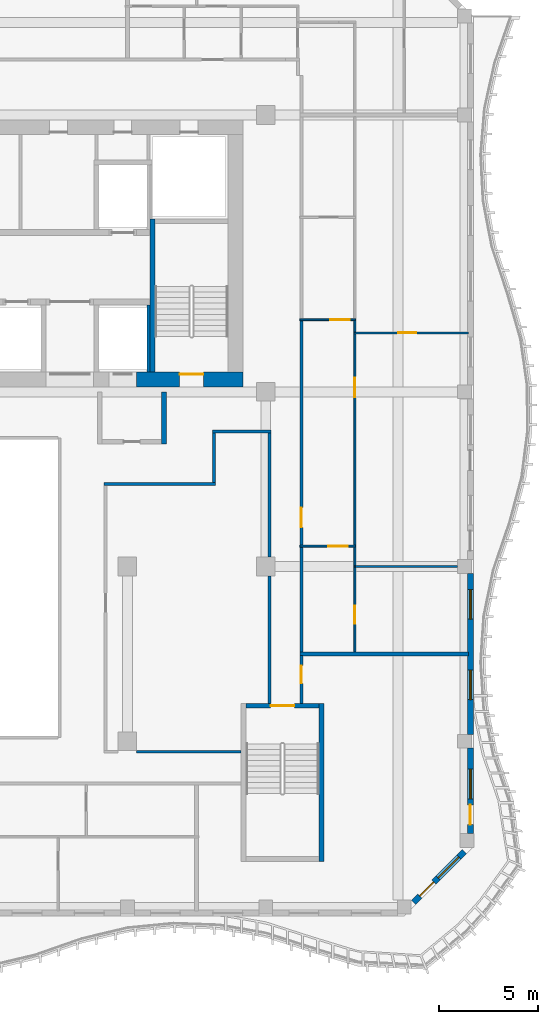
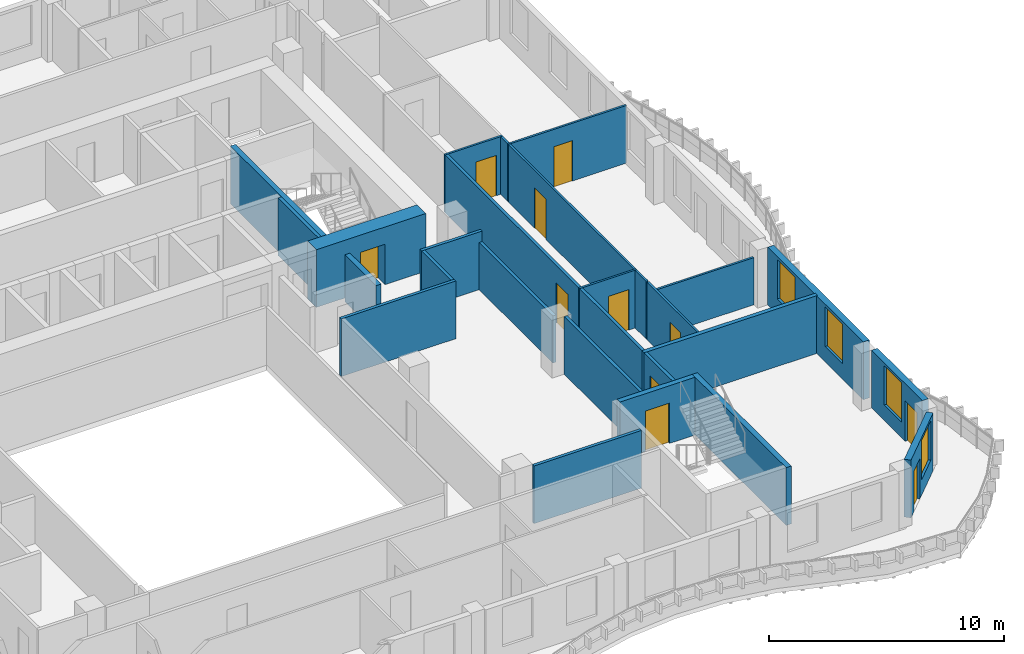
# One storey, part 5 of 13: 27 walls, 11 doors, 4 windows, 15 openings.
"""IFC4 building model written with IfcOpenShell, lengths in metres."""

from ifc_helpers import new_model, si_unit, direction, frame, frame_2d, origin, place, context, subcontext, project, spatial, rectangle, extrude, source, transform, mapped, material, layer, layer_set, type_object, element, fill, save


model = new_model("IFC4")

# Units and contexts
model_context = context("Model", 3, precision=1e-05, world=origin(), true_north=direction((0.0, 1.0)))
body_context = subcontext(model_context, "Body", "Model", "MODEL_VIEW")
ifc_project = project(units=[si_unit("LENGTHUNIT", "METRE"), si_unit("AREAUNIT", "SQUARE_METRE"), si_unit("VOLUMEUNIT", "CUBIC_METRE"), si_unit("PLANEANGLEUNIT", "RADIAN"), si_unit("MASSUNIT", "GRAM", prefix="KILO")], contexts=[model_context])

# Site, building, storey
site_placement = place(None, origin())
site = spatial("IfcSite", under=ifc_project, at=site_placement, CompositionType="ELEMENT")
building_placement = place(site_placement, origin())
building = spatial("IfcBuilding", under=site, at=building_placement, Name="Kilnfold Tower and Market Hall", CompositionType="ELEMENT")
storey_placement = place(building_placement, frame((0.0, 0.0, 259.39990234375)))
storey = spatial("IfcBuildingStorey", under=building, at=storey_placement, Name="L63", CompositionType="ELEMENT", Elevation=259.39990234375)

# Wall, opening, door
ifc_material_1 = material(Name="Gypsum board on steel studs", Category="steel")
ifc_layer_1 = layer(ifc_material_1, 0.14990234375)
ifc_layer_set_1 = layer_set([ifc_layer_1], Name="Gypsum board on steel studs")
wall_type_1 = type_object("IfcWallType", Name="WALL CORRIDOR 150", PredefinedType="PARTITIONING", material=ifc_layer_set_1)
wall_1_placement = place(storey_placement, frame((20.800048828125, -7.75, 0.0), z_axis=(0.0, 0.0, 1.0), x_axis=(0.0, 1.0, 0.0)))
wall_1 = element("IfcWall", 1, at=wall_1_placement, inside=storey, type_object=wall_type_1, Name="Partition LY39.12", PredefinedType="PARTITIONING", context=body_context, shape_type="SweptSolid", body=[
    extrude(rectangle(XDim=2.409912109375, YDim=0.14990234375, at=frame_2d((1.205078125, 0.0))), origin(), (0.0, 0.0, 1.0), 3.0),
])
opening_1_placement = place(wall_1_placement, frame((1.007080078125, 0.0, 0.0)))
opening_1 = element("IfcOpeningElement", 2, at=opening_1_placement, cuts=wall_1, Name="Opening D2", PredefinedType="OPENING", context=body_context, shape_type="SweptSolid", body=[
    extrude(rectangle(XDim=0.89990234375, YDim=2.10009765625, at=frame_2d((0.449951171875, 1.050048828125))), frame((0.0, 0.0849609375, 0.0), z_axis=(0.0, -1.0, 0.0), x_axis=(1.0, 0.0, 0.0)), (0.0, 0.0, 1.0), 0.169921875),
])
ifc_material_2 = material(Name="Timber veneer door leaf in steel frame", Category="steel")
door_type_1 = type_object("IfcDoorType", Name="DOOR ROOM 900 X2100", OperationType="NOTDEFINED", PredefinedType="DOOR", material=ifc_material_2)
door_1_placement = place(opening_1_placement, origin())
door_1 = element("IfcDoor", 3, at=door_1_placement, inside=storey, type_object=door_type_1, Name="Door D2", OperationType="SINGLE_SWING_LEFT", OverallHeight=2.10009765625, OverallWidth=0.89990234375, PredefinedType="DOOR", context=body_context, shape_type="SweptSolid", body=[
    extrude(rectangle(XDim=0.89990234375, YDim=2.10009765625, at=frame_2d((0.449951171875, 1.050048828125))), frame((0.0, 0.02490234375, 0.0), z_axis=(0.0, -1.0, 0.0), x_axis=(1.0, 0.0, 0.0)), (0.0, 0.0, 1.0), 0.050048828125),
])
fill(opening_1, door_1)

# Wall
wall_2_placement = place(storey_placement, frame((20.800048828125, -5.159912109375, 0.0), z_axis=(0.0, 0.0, 1.0), x_axis=(0.0, 1.0, 0.0)))
element("IfcWall", 4, at=wall_2_placement, inside=storey, type_object=wall_type_1, Name="Partition LY39.13", PredefinedType="PARTITIONING", context=body_context, shape_type="SweptSolid", body=[
    extrude(rectangle(XDim=5.31982421875, YDim=0.14990234375, at=frame_2d((2.659912109375, 0.0))), origin(), (0.0, 0.0, 1.0), 3.0),
])

# Wall, opening, door
wall_3_placement = place(storey_placement, frame((20.800048828125, 0.239990234375, 0.0), z_axis=(0.0, 0.0, 1.0), x_axis=(0.0, 1.0, 0.0)))
wall_3 = element("IfcWall", 5, at=wall_3_placement, inside=storey, type_object=wall_type_1, Name="Partition LY39.14", PredefinedType="PARTITIONING", context=body_context, shape_type="SweptSolid", body=[
    extrude(rectangle(XDim=11.364990234375, YDim=0.14990234375, at=frame_2d((5.6826171875, 0.0))), origin(), (0.0, 0.0, 1.0), 3.0),
])
opening_2_placement = place(wall_3_placement, frame((0.905029296875, 0.0, 0.0)))
opening_2 = element("IfcOpeningElement", 6, at=opening_2_placement, cuts=wall_3, Name="Opening D1", PredefinedType="OPENING", context=body_context, shape_type="SweptSolid", body=[
    extrude(rectangle(XDim=1.0, YDim=2.10009765625, at=frame_2d((0.5, 1.050048828125))), frame((0.0, 0.0849609375, 0.0), z_axis=(0.0, -1.0, 0.0), x_axis=(1.0, 0.0, 0.0)), (0.0, 0.0, 1.0), 0.169921875),
])
ifc_material_3 = material(Name="Timber veneer door leaf in steel frame", Category="steel")
door_type_2 = type_object("IfcDoorType", Name="DOOR ENTRY 1000 X2100", OperationType="NOTDEFINED", PredefinedType="DOOR", material=ifc_material_3)
door_2_placement = place(opening_2_placement, origin())
door_2 = element("IfcDoor", 7, at=door_2_placement, inside=storey, type_object=door_type_2, Name="Door D1", OperationType="SINGLE_SWING_RIGHT", OverallHeight=2.10009765625, OverallWidth=1.0, PredefinedType="DOOR", context=body_context, shape_type="SweptSolid", body=[
    extrude(rectangle(XDim=1.0, YDim=2.10009765625, at=frame_2d((0.5, 1.050048828125))), frame((0.0, 0.02490234375, 0.0), z_axis=(0.0, -1.0, 0.0), x_axis=(1.0, 0.0, 0.0)), (0.0, 0.0, 1.0), 0.050048828125),
])
fill(opening_2, door_2)

# Walls
wall_4_placement = place(storey_placement, frame((19.199951171875, -7.75, 0.0), z_axis=(0.0, 0.0, 1.0), x_axis=(0.0, 1.0, 0.0)))
element("IfcWall", 8, at=wall_4_placement, inside=storey, type_object=wall_type_1, Name="Partition LY39.32", PredefinedType="PARTITIONING", context=body_context, shape_type="SweptSolid", body=[
    extrude(rectangle(XDim=6.44189453125, YDim=0.14990234375, at=frame_2d((3.220947265625, 0.0))), origin(), (0.0, 0.0, 1.0), 3.0),
])
wall_5_placement = place(storey_placement, frame((19.199951171875, -0.35791015625, 0.0), z_axis=(0.0, 0.0, 1.0), x_axis=(0.0, 1.0, 0.0)))
element("IfcWall", 9, at=wall_5_placement, inside=storey, type_object=wall_type_1, Name="Partition LY39.33", PredefinedType="PARTITIONING", context=body_context, shape_type="SweptSolid", body=[
    extrude(rectangle(XDim=6.282958984375, YDim=0.14990234375, at=frame_2d((3.1416015625, 0.0))), origin(), (0.0, 0.0, 1.0), 2.4501953125),
])
wall_6_placement = place(storey_placement, frame((16.304931640625, 6.0, 0.0), z_axis=(0.0, 0.0, 1.0), x_axis=(1.0, 0.0, 0.0)))
element("IfcWall", 10, at=wall_6_placement, inside=storey, type_object=wall_type_1, Name="Partition LY39.34", PredefinedType="PARTITIONING", context=body_context, shape_type="SweptSolid", body=[
    extrude(rectangle(XDim=2.969970703125, YDim=0.14990234375, at=frame_2d((1.48486328125, 0.0))), origin(), (0.0, 0.0, 1.0), 3.0),
])
wall_7_placement = place(storey_placement, frame((16.3798828125, 3.425048828125, 0.0), z_axis=(0.0, 0.0, 1.0), x_axis=(0.0, 1.0, 0.0)))
element("IfcWall", 11, at=wall_7_placement, inside=storey, type_object=wall_type_1, Name="Partition LY39.35", PredefinedType="PARTITIONING", context=body_context, shape_type="SweptSolid", body=[
    extrude(rectangle(XDim=2.5, YDim=0.14990234375, at=frame_2d((1.25, 0.0))), origin(), (0.0, 0.0, 1.0), 3.0),
])
wall_8_placement = place(storey_placement, frame((10.824951171875, 3.35009765625, 0.0), z_axis=(0.0, 0.0, 1.0), x_axis=(1.0, 0.0, 0.0)))
element("IfcWall", 12, at=wall_8_placement, inside=storey, type_object=wall_type_1, Name="Partition LY39.36", PredefinedType="PARTITIONING", context=body_context, shape_type="SweptSolid", body=[
    extrude(rectangle(XDim=5.630126953125, YDim=0.14990234375, at=frame_2d((2.81494140625, 0.0))), origin(), (0.0, 0.0, 1.0), 3.0),
])
wall_9_placement = place(storey_placement, frame((12.47509765625, -10.199951171875, 0.0), z_axis=(0.0, 0.0, 1.0), x_axis=(1.0, 0.0, 0.0)))
element("IfcWall", 13, at=wall_9_placement, inside=storey, type_object=wall_type_1, Name="Partition LY39.38", PredefinedType="PARTITIONING", context=body_context, shape_type="SweptSolid", body=[
    extrude(rectangle(XDim=5.27490234375, YDim=0.14990234375, at=frame_2d((2.637451171875, 0.0))), origin(), (0.0, 0.0, 1.0), 3.0),
])

# Wall, opening, door
ifc_material_4 = material(Name="Gypsum board on steel studs", Category="steel")
ifc_layer_2 = layer(ifc_material_4, 0.10009765625)
ifc_layer_set_2 = layer_set([ifc_layer_2], Name="Gypsum board on steel studs")
wall_type_2 = type_object("IfcWallType", Name="WALL PARTITION 100", PredefinedType="PARTITIONING", material=ifc_layer_set_2)
wall_10_placement = place(storey_placement, frame((23.550048828125, 0.199951171875, 0.0), z_axis=(0.0, 0.0, 1.0), x_axis=(-1.0, 0.0, 0.0)))
wall_10 = element("IfcWall", 14, at=wall_10_placement, inside=storey, type_object=wall_type_2, Name="Partition LY39.55", PredefinedType="PARTITIONING", context=body_context, shape_type="SweptSolid", body=[
    extrude(rectangle(XDim=2.822998046875, YDim=0.10009765625, at=frame_2d((1.41162109375, 0.0))), origin(), (0.0, 0.0, 1.0), 3.0),
])
opening_3_placement = place(wall_10_placement, frame((0.403076171875, 0.0, 0.0)))
opening_3 = element("IfcOpeningElement", 15, at=opening_3_placement, cuts=wall_10, Name="Opening D1", PredefinedType="OPENING", context=body_context, shape_type="SweptSolid", body=[
    extrude(rectangle(XDim=1.0, YDim=2.10009765625, at=frame_2d((0.5, 1.050048828125))), frame((0.0, 0.06005859375, 0.0), z_axis=(0.0, -1.0, 0.0), x_axis=(1.0, 0.0, 0.0)), (0.0, 0.0, 1.0), 0.1201171875),
])
door_3_placement = place(opening_3_placement, origin())
door_3 = element("IfcDoor", 16, at=door_3_placement, inside=storey, type_object=door_type_2, Name="Door D1", OperationType="SINGLE_SWING_RIGHT", OverallHeight=2.10009765625, OverallWidth=1.0, PredefinedType="DOOR", context=body_context, shape_type="SweptSolid", body=[
    extrude(rectangle(XDim=1.0, YDim=2.10009765625, at=frame_2d((0.5, 1.050048828125))), frame((0.0, 0.02490234375, 0.0), z_axis=(0.0, -1.0, 0.0), x_axis=(1.0, 0.0, 0.0)), (0.0, 0.0, 1.0), 0.050048828125),
])
fill(opening_3, door_3)

wall_11_placement = place(storey_placement, frame((23.5, -5.14990234375, 0.0), z_axis=(0.0, 0.0, 1.0), x_axis=(0.0, 1.0, 0.0)))
wall_11 = element("IfcWall", 17, at=wall_11_placement, inside=storey, type_object=wall_type_2, Name="Partition LY39.56", PredefinedType="PARTITIONING", context=body_context, shape_type="SweptSolid", body=[
    extrude(rectangle(XDim=4.27685546875, YDim=0.10009765625, at=frame_2d((2.138427734375, 0.0))), origin(), (0.0, 0.0, 1.0), 3.0),
])
opening_4_placement = place(wall_11_placement, frame((1.431884765625, 0.0, 0.0)))
opening_4 = element("IfcOpeningElement", 18, at=opening_4_placement, cuts=wall_11, Name="Opening D2", PredefinedType="OPENING", context=body_context, shape_type="SweptSolid", body=[
    extrude(rectangle(XDim=0.89990234375, YDim=2.10009765625, at=frame_2d((0.449951171875, 1.050048828125))), frame((0.0, 0.06005859375, 0.0), z_axis=(0.0, -1.0, 0.0), x_axis=(1.0, 0.0, 0.0)), (0.0, 0.0, 1.0), 0.1201171875),
])
door_4_placement = place(opening_4_placement, origin())
door_4 = element("IfcDoor", 19, at=door_4_placement, inside=storey, type_object=door_type_1, Name="Door D2", OperationType="SINGLE_SWING_LEFT", OverallHeight=2.10009765625, OverallWidth=0.89990234375, PredefinedType="DOOR", context=body_context, shape_type="SweptSolid", body=[
    extrude(rectangle(XDim=0.89990234375, YDim=2.10009765625, at=frame_2d((0.449951171875, 1.050048828125))), frame((0.0, 0.02490234375, 0.0), z_axis=(0.0, -1.0, 0.0), x_axis=(1.0, 0.0, 0.0)), (0.0, 0.0, 1.0), 0.050048828125),
])
fill(opening_4, door_4)

# Wall
wall_12_placement = place(storey_placement, frame((23.5, -0.79296875, 0.0), z_axis=(0.0, 0.0, 1.0), x_axis=(0.0, 1.0, 0.0)))
element("IfcWall", 20, at=wall_12_placement, inside=storey, type_object=wall_type_2, Name="Partition LY39.57", PredefinedType="PARTITIONING", context=body_context, shape_type="SweptSolid", body=[
    extrude(rectangle(XDim=0.94287109375, YDim=0.10009765625, at=frame_2d((0.471435546875, 0.0))), origin(), (0.0, 0.0, 1.0), 3.0),
])

# Wall, opening, door
wall_13_placement = place(storey_placement, frame((23.550048828125, 11.64501953125, 0.0), z_axis=(0.0, 0.0, 1.0), x_axis=(-1.0, 0.0, 0.0)))
wall_13 = element("IfcWall", 21, at=wall_13_placement, inside=storey, type_object=wall_type_2, Name="Partition LY39.58", PredefinedType="PARTITIONING", context=body_context, shape_type="SweptSolid", body=[
    extrude(rectangle(XDim=2.822998046875, YDim=0.10009765625, at=frame_2d((1.41162109375, 0.0))), origin(), (0.0, 0.0, 1.0), 3.0),
])
opening_5_placement = place(wall_13_placement, frame((0.302001953125, 0.0, 0.0)))
opening_5 = element("IfcOpeningElement", 22, at=opening_5_placement, cuts=wall_13, Name="Opening D1", PredefinedType="OPENING", context=body_context, shape_type="SweptSolid", body=[
    extrude(rectangle(XDim=1.0, YDim=2.10009765625, at=frame_2d((0.5, 1.050048828125))), frame((0.0, 0.06005859375, 0.0), z_axis=(0.0, -1.0, 0.0), x_axis=(1.0, 0.0, 0.0)), (0.0, 0.0, 1.0), 0.1201171875),
])
door_5_placement = place(opening_5_placement, origin())
door_5 = element("IfcDoor", 23, at=door_5_placement, inside=storey, type_object=door_type_2, Name="Door D1", OperationType="SINGLE_SWING_RIGHT", OverallHeight=2.10009765625, OverallWidth=1.0, PredefinedType="DOOR", context=body_context, shape_type="SweptSolid", body=[
    extrude(rectangle(XDim=1.0, YDim=2.10009765625, at=frame_2d((0.5, 1.050048828125))), frame((0.0, 0.02490234375, 0.0), z_axis=(0.0, -1.0, 0.0), x_axis=(1.0, 0.0, 0.0)), (0.0, 0.0, 1.0), 0.050048828125),
])
fill(opening_5, door_5)

wall_14_placement = place(storey_placement, frame((23.5, 0.25, 0.0), z_axis=(0.0, 0.0, 1.0), x_axis=(0.0, 1.0, 0.0)))
wall_14 = element("IfcWall", 24, at=wall_14_placement, inside=storey, type_object=wall_type_2, Name="Partition LY39.59", PredefinedType="PARTITIONING", context=body_context, shape_type="SweptSolid", body=[
    extrude(rectangle(XDim=10.68505859375, YDim=0.10009765625, at=frame_2d((5.342529296875, 0.0))), origin(), (0.0, 0.0, 1.0), 3.0),
])
opening_6_placement = place(wall_14_placement, frame((7.467041015625, 0.0, 0.0)))
opening_6 = element("IfcOpeningElement", 25, at=opening_6_placement, cuts=wall_14, Name="Opening D1", PredefinedType="OPENING", context=body_context, shape_type="SweptSolid", body=[
    extrude(rectangle(XDim=1.0, YDim=2.10009765625, at=frame_2d((0.5, 1.050048828125))), frame((0.0, 0.06005859375, 0.0), z_axis=(0.0, -1.0, 0.0), x_axis=(1.0, 0.0, 0.0)), (0.0, 0.0, 1.0), 0.1201171875),
])
door_6_placement = place(opening_6_placement, origin())
door_6 = element("IfcDoor", 26, at=door_6_placement, inside=storey, type_object=door_type_2, Name="Door D1", OperationType="SINGLE_SWING_LEFT", OverallHeight=2.10009765625, OverallWidth=1.0, PredefinedType="DOOR", context=body_context, shape_type="SweptSolid", body=[
    extrude(rectangle(XDim=1.0, YDim=2.10009765625, at=frame_2d((0.5, 1.050048828125))), frame((0.0, 0.02490234375, 0.0), z_axis=(0.0, -1.0, 0.0), x_axis=(1.0, 0.0, 0.0)), (0.0, 0.0, 1.0), 0.050048828125),
])
fill(opening_6, door_6)

# Walls
wall_15_placement = place(storey_placement, frame((23.5, 11.014892578125, 0.0), z_axis=(0.0, 0.0, 1.0), x_axis=(0.0, 1.0, 0.0)))
element("IfcWall", 27, at=wall_15_placement, inside=storey, type_object=wall_type_2, Name="Partition LY39.60", PredefinedType="PARTITIONING", context=body_context, shape_type="SweptSolid", body=[
    extrude(rectangle(XDim=0.580078125, YDim=0.10009765625, at=frame_2d((0.2900390625, 0.0))), origin(), (0.0, 0.0, 1.0), 3.0),
])
wall_16_placement = place(storey_placement, frame((28.699951171875, -0.8330078125, 0.0), z_axis=(0.0, 0.0, 1.0), x_axis=(-1.0, 0.0, 0.0)))
element("IfcWall", 28, at=wall_16_placement, inside=storey, type_object=wall_type_2, Name="Partition LY39.65", PredefinedType="PARTITIONING", context=body_context, shape_type="SweptSolid", body=[
    extrude(rectangle(XDim=5.248046875, YDim=0.10009765625, at=frame_2d((2.6240234375, 0.0))), origin(), (0.0, 0.0, 1.0), 2.4501953125),
])

# Wall, opening, door
wall_17_placement = place(storey_placement, frame((29.25, 10.97509765625, 0.0), z_axis=(0.0, 0.0, 1.0), x_axis=(-1.0, 0.0, 0.0)))
wall_17 = element("IfcWall", 29, at=wall_17_placement, inside=storey, type_object=wall_type_2, Name="Partition LY39.66", PredefinedType="PARTITIONING", context=body_context, shape_type="SweptSolid", body=[
    extrude(rectangle(XDim=5.798095703125, YDim=0.10009765625, at=frame_2d((2.89892578125, 0.0))), origin(), (0.0, 0.0, 1.0), 3.0),
])
opening_7_placement = place(wall_17_placement, frame((2.653076171875, 0.0, 0.0)))
opening_7 = element("IfcOpeningElement", 30, at=opening_7_placement, cuts=wall_17, Name="Opening D2", PredefinedType="OPENING", context=body_context, shape_type="SweptSolid", body=[
    extrude(rectangle(XDim=0.89990234375, YDim=2.10009765625, at=frame_2d((0.449951171875, 1.050048828125))), frame((0.0, 0.06005859375, 0.0), z_axis=(0.0, -1.0, 0.0), x_axis=(1.0, 0.0, 0.0)), (0.0, 0.0, 1.0), 0.1201171875),
])
door_7_placement = place(opening_7_placement, origin())
door_7 = element("IfcDoor", 31, at=door_7_placement, inside=storey, type_object=door_type_1, Name="Door D2", OperationType="SINGLE_SWING_LEFT", OverallHeight=2.10009765625, OverallWidth=0.89990234375, PredefinedType="DOOR", context=body_context, shape_type="SweptSolid", body=[
    extrude(rectangle(XDim=0.89990234375, YDim=2.10009765625, at=frame_2d((0.449951171875, 1.050048828125))), frame((0.0, 0.02490234375, 0.0), z_axis=(0.0, -1.0, 0.0), x_axis=(1.0, 0.0, 0.0)), (0.0, 0.0, 1.0), 0.050048828125),
])
fill(opening_7, door_7)

# Walls
ifc_material_5 = material(Name="Gypsum board on steel studs", Category="steel")
ifc_layer_3 = layer(ifc_material_5, 0.199951171875)
ifc_layer_set_3 = layer_set([ifc_layer_3], Name="Gypsum board on steel studs")
wall_type_3 = type_object("IfcWallType", Name="WALL PARTY 200", PredefinedType="PARTITIONING", material=ifc_layer_set_3)
wall_18_placement = place(storey_placement, frame((20.72705078125, -5.25, 0.0), z_axis=(0.0, 0.0, 1.0), x_axis=(1.0, 0.0, 0.0)))
element("IfcWall", 32, at=wall_18_placement, inside=storey, type_object=wall_type_3, Name="Partition LY39.54", PredefinedType="PARTITIONING", context=body_context, shape_type="SweptSolid", body=[
    extrude(rectangle(XDim=8.52294921875, YDim=0.199951171875, at=frame_2d((4.261474609375, 0.0))), origin(), (0.0, 0.0, 1.0), 3.0),
])
ifc_material_6 = material(Name="Concrete C60", Category="concrete")
ifc_layer_4 = layer(ifc_material_6, 0.25)
ifc_layer_set_4 = layer_set([ifc_layer_4], Name="Concrete C60")
wall_type_4 = type_object("IfcWallType", Name="CORE WALL 250 C60", PredefinedType="SHEAR", material=ifc_layer_set_4)
shared_shape_1 = source(origin(), body_context, "Body", "SweptSolid", [
    extrude(rectangle(XDim=7.75, YDim=0.25, at=frame_2d((3.875, 0.0))), origin(), (0.0, 0.0, 1.0), 3.0),
])
wall_19_placement = place(storey_placement, frame((13.27490234375, 9.0, 0.0), z_axis=(0.0, 0.0, 1.0), x_axis=(0.0, 1.0, 0.0)))
element("IfcWall", 33, at=wall_19_placement, inside=storey, type_object=wall_type_4, Name="Stair enclosure ST2", PredefinedType="SHEAR", context=body_context, shape_type="MappedRepresentation", body=[
    mapped(shared_shape_1, transform((0.0, 0.0, 0.0))),
])

# Wall, opening, door
shared_shape_2 = source(origin(), body_context, "Body", "SweptSolid", [
    extrude(rectangle(XDim=3.699951171875, YDim=0.25, at=frame_2d((1.85009765625, 0.0))), origin(), (0.0, 0.0, 1.0), 3.0),
])
wall_20_placement = place(storey_placement, frame((18.0, -7.875, 0.0), z_axis=(0.0, 0.0, 1.0), x_axis=(1.0, 0.0, 0.0)))
wall_20 = element("IfcWall", 34, at=wall_20_placement, inside=storey, type_object=wall_type_4, Name="Stair enclosure ST4", PredefinedType="SHEAR", context=body_context, shape_type="MappedRepresentation", body=[
    mapped(shared_shape_2, transform((0.0, 0.0, 0.0))),
])
opening_8_placement = place(wall_20_placement, frame((1.25, 0.0, 0.0)))
opening_8 = element("IfcOpeningElement", 35, at=opening_8_placement, cuts=wall_20, Name="Opening SD1", PredefinedType="OPENING", context=body_context, shape_type="SweptSolid", body=[
    extrude(rectangle(XDim=1.199951171875, YDim=2.10009765625, at=frame_2d((0.60009765625, 1.050048828125))), frame((0.0, 0.135009765625, 0.0), z_axis=(0.0, -1.0, 0.0), x_axis=(1.0, 0.0, 0.0)), (0.0, 0.0, 1.0), 0.27001953125),
])
ifc_material_7 = material(Name="Steel door set with fire-resisting leaf", Category="steel")
door_type_3 = type_object("IfcDoorType", Name="STAIR FLOOR DOOR 1200X2100", OperationType="NOTDEFINED", PredefinedType="DOOR", material=ifc_material_7)
door_8_placement = place(opening_8_placement, origin())
door_8 = element("IfcDoor", 36, at=door_8_placement, inside=storey, type_object=door_type_3, Name="Exit stair ST4 door", OperationType="DOUBLE_DOOR_SINGLE_SWING", OverallHeight=2.10009765625, OverallWidth=1.199951171875, PredefinedType="DOOR", context=body_context, shape_type="SweptSolid", body=[
    extrude(rectangle(XDim=1.199951171875, YDim=2.10009765625, at=frame_2d((0.60009765625, 1.050048828125))), frame((0.0, 0.02490234375, 0.0), z_axis=(0.0, -1.0, 0.0), x_axis=(1.0, 0.0, 0.0)), (0.0, 0.0, 1.0), 0.050048828125),
])
fill(opening_8, door_8)

# Wall
shared_shape_3 = source(origin(), body_context, "Body", "SweptSolid", [
    extrude(rectangle(XDim=8.0, YDim=0.25, at=frame_2d((4.0, 0.0))), origin(), (0.0, 0.0, 1.0), 3.0),
])
wall_21_placement = place(storey_placement, frame((21.824951171875, -15.75, 0.0), z_axis=(0.0, 0.0, 1.0), x_axis=(0.0, 1.0, 0.0)))
element("IfcWall", 37, at=wall_21_placement, inside=storey, type_object=wall_type_4, Name="Stair enclosure ST4", PredefinedType="SHEAR", context=body_context, shape_type="MappedRepresentation", body=[
    mapped(shared_shape_3, transform((0.0, 0.0, 0.0))),
])

# Wall, opening, door
ifc_material_8 = material(Name="Concrete C60", Category="concrete")
ifc_layer_5 = layer(ifc_material_8, 0.75)
ifc_layer_set_5 = layer_set([ifc_layer_5], Name="Concrete C60")
wall_type_5 = type_object("IfcWallType", Name="CORE WALL 750 C60", PredefinedType="SHEAR", material=ifc_layer_set_5)
shared_shape_4 = source(origin(), body_context, "Body", "SweptSolid", [
    extrude(rectangle(XDim=5.380126953125, YDim=0.75, at=frame_2d((2.68994140625, 0.0))), origin(), (0.0, 0.0, 1.0), 3.0),
])
wall_22_placement = place(storey_placement, frame((12.469970703125, 8.625, 0.0), z_axis=(0.0, 0.0, 1.0), x_axis=(1.0, 0.0, 0.0)))
wall_22 = element("IfcWall", 38, at=wall_22_placement, inside=storey, type_object=wall_type_5, Name="Core outer wall south", PredefinedType="SHEAR", context=body_context, shape_type="MappedRepresentation", body=[
    mapped(shared_shape_4, transform((0.0, 0.0, 0.0))),
])
opening_9_placement = place(wall_22_placement, frame((2.179931640625, 0.0, 0.0)))
opening_9 = element("IfcOpeningElement", 39, at=opening_9_placement, cuts=wall_22, Name="Opening SD1", PredefinedType="OPENING", context=body_context, shape_type="SweptSolid", body=[
    extrude(rectangle(XDim=1.199951171875, YDim=2.10009765625, at=frame_2d((0.60009765625, 1.050048828125))), frame((0.0, 0.385009765625, 0.0), z_axis=(0.0, -1.0, 0.0), x_axis=(1.0, 0.0, 0.0)), (0.0, 0.0, 1.0), 0.77001953125),
])
door_9_placement = place(opening_9_placement, origin())
door_9 = element("IfcDoor", 40, at=door_9_placement, inside=storey, type_object=door_type_3, Name="Exit stair ST2 door", OperationType="DOUBLE_DOOR_SINGLE_SWING", OverallHeight=2.10009765625, OverallWidth=1.199951171875, PredefinedType="DOOR", context=body_context, shape_type="SweptSolid", body=[
    extrude(rectangle(XDim=1.199951171875, YDim=2.10009765625, at=frame_2d((0.60009765625, 1.050048828125))), frame((0.0, 0.27978515625, 0.0), z_axis=(0.0, -1.0, 0.0), x_axis=(1.0, 0.0, 0.0)), (0.0, 0.0, 1.0), 0.050048828125),
])
fill(opening_9, door_9)

# Wall, openings, door, window
ifc_material_9 = material(Name="Precast concrete C50/60", Category="concrete")
ifc_layer_6 = layer(ifc_material_9, 0.300048828125)
ifc_layer_set_6 = layer_set([ifc_layer_6], Name="Precast concrete C50/60")
wall_type_6 = type_object("IfcWallType", Name="PRECAST WALL 300", PredefinedType="SOLIDWALL", material=ifc_layer_set_6)
shared_shape_5 = source(origin(), body_context, "Body", "SweptSolid", [
    extrude(rectangle(XDim=3.6416015625, YDim=0.300048828125, at=frame_2d((1.82080078125, 0.0))), origin(), (0.0, 0.0, 1.0), 3.0),
])
wall_23_placement = place(storey_placement, frame((26.468994140625, -17.81884765625, 0.0), z_axis=(0.0, 0.0, 1.0), x_axis=(0.707106781187, 0.707106781187, 0.0)))
wall_23 = element("IfcWall", 41, at=wall_23_placement, inside=storey, type_object=wall_type_6, Name="External wall L63 SE", PredefinedType="SOLIDWALL", context=body_context, shape_type="MappedRepresentation", body=[
    mapped(shared_shape_5, transform((0.0, 0.0, 0.0))),
])
opening_10_placement = place(wall_23_placement, frame((1.75, 0.0, 0.800048828125)))
opening_10 = element("IfcOpeningElement", 42, at=opening_10_placement, cuts=wall_23, Name="Opening W5", PredefinedType="OPENING", context=body_context, shape_type="SweptSolid", body=[
    extrude(rectangle(XDim=1.5, YDim=2.050048828125, at=frame_2d((0.75, 1.02490234375))), frame((0.0, 0.16015625, 0.0), z_axis=(0.0, -1.0, 0.0), x_axis=(1.0, 0.0, 0.0)), (0.0, 0.0, 1.0), 0.320068359375),
])
opening_11_placement = place(wall_23_placement, frame((0.449951171875, 0.0, 0.0)))
opening_11 = element("IfcOpeningElement", 43, at=opening_11_placement, cuts=wall_23, Name="Opening BD1", PredefinedType="OPENING", context=body_context, shape_type="SweptSolid", body=[
    extrude(rectangle(XDim=1.0, YDim=2.10009765625, at=frame_2d((0.5, 1.050048828125))), frame((0.0, 0.16015625, 0.0), z_axis=(0.0, -1.0, 0.0), x_axis=(1.0, 0.0, 0.0)), (0.0, 0.0, 1.0), 0.320068359375),
])
ifc_material_10 = material(Name="Aluminium frame and double glazing", Category="aluminium")
door_type_4 = type_object("IfcDoorType", Name="BALCONY DOOR 1000X2100", OperationType="NOTDEFINED", PredefinedType="DOOR", material=ifc_material_10)
door_10_placement = place(opening_11_placement, origin())
door_10 = element("IfcDoor", 44, at=door_10_placement, inside=storey, type_object=door_type_4, Name="Balcony door BD1 L63 SE-1", OperationType="SINGLE_SWING_LEFT", OverallHeight=2.10009765625, OverallWidth=1.0, PredefinedType="DOOR", context=body_context, shape_type="SweptSolid", body=[
    extrude(rectangle(XDim=1.0, YDim=2.10009765625, at=frame_2d((0.5, 1.050048828125))), frame((0.0, 0.02490234375, 0.0), z_axis=(0.0, -1.0, 0.0), x_axis=(1.0, 0.0, 0.0)), (0.0, 0.0, 1.0), 0.050048828125),
])
fill(opening_11, door_10)
ifc_material_11 = material(Name="Aluminium frame and double glazing", Category="aluminium")
window_type = type_object("IfcWindowType", Name="WINDOW W5 1500X2050", PartitioningType="SINGLE_PANEL", PredefinedType="WINDOW", material=ifc_material_11)
window_1_placement = place(opening_10_placement, origin())
window_1 = element("IfcWindow", 45, at=window_1_placement, inside=storey, type_object=window_type, Name="Window W5 L63 SE-1", OverallHeight=2.050048828125, OverallWidth=1.5, PartitioningType="SINGLE_PANEL", PredefinedType="WINDOW", context=body_context, shape_type="SweptSolid", body=[
    extrude(rectangle(XDim=1.5, YDim=2.050048828125, at=frame_2d((0.75, 1.02490234375))), frame((0.0, 0.030029296875, 0.0), z_axis=(0.0, -1.0, 0.0), x_axis=(1.0, 0.0, 0.0)), (0.0, 0.0, 1.0), 0.06005859375),
])
fill(opening_10, window_1)

shared_shape_6 = source(origin(), body_context, "Body", "SweptSolid", [
    extrude(rectangle(XDim=4.315185546875, YDim=0.300048828125, at=frame_2d((2.15771484375, 0.0))), origin(), (0.0, 0.0, 1.0), 3.0),
])
wall_24_placement = place(storey_placement, frame((29.35009765625, -14.331787109375, 0.0), z_axis=(0.0, 0.0, 1.0), x_axis=(0.0, 1.0, 0.0)))
wall_24 = element("IfcWall", 46, at=wall_24_placement, inside=storey, type_object=wall_type_6, Name="External wall L63 E", PredefinedType="SOLIDWALL", context=body_context, shape_type="MappedRepresentation", body=[
    mapped(shared_shape_6, transform((0.0, 0.0, 0.0))),
])
opening_12_placement = place(wall_24_placement, frame((1.75, 0.0, 0.800048828125)))
opening_12 = element("IfcOpeningElement", 47, at=opening_12_placement, cuts=wall_24, Name="Opening W5", PredefinedType="OPENING", context=body_context, shape_type="SweptSolid", body=[
    extrude(rectangle(XDim=1.5, YDim=2.050048828125, at=frame_2d((0.75, 1.02490234375))), frame((0.0, 0.16015625, 0.0), z_axis=(0.0, -1.0, 0.0), x_axis=(1.0, 0.0, 0.0)), (0.0, 0.0, 1.0), 0.320068359375),
])
opening_13_placement = place(wall_24_placement, frame((0.449951171875, 0.0, 0.0)))
opening_13 = element("IfcOpeningElement", 48, at=opening_13_placement, cuts=wall_24, Name="Opening BD1", PredefinedType="OPENING", context=body_context, shape_type="SweptSolid", body=[
    extrude(rectangle(XDim=1.0, YDim=2.10009765625, at=frame_2d((0.5, 1.050048828125))), frame((0.0, 0.16015625, 0.0), z_axis=(0.0, -1.0, 0.0), x_axis=(1.0, 0.0, 0.0)), (0.0, 0.0, 1.0), 0.320068359375),
])
door_11_placement = place(opening_13_placement, origin())
door_11 = element("IfcDoor", 49, at=door_11_placement, inside=storey, type_object=door_type_4, Name="Balcony door BD1 L63 E-1", OperationType="SINGLE_SWING_LEFT", OverallHeight=2.10009765625, OverallWidth=1.0, PredefinedType="DOOR", context=body_context, shape_type="SweptSolid", body=[
    extrude(rectangle(XDim=1.0, YDim=2.10009765625, at=frame_2d((0.5, 1.050048828125))), frame((0.0, 0.02490234375, 0.0), z_axis=(0.0, -1.0, 0.0), x_axis=(1.0, 0.0, 0.0)), (0.0, 0.0, 1.0), 0.050048828125),
])
fill(opening_13, door_11)
window_2_placement = place(opening_12_placement, origin())
window_2 = element("IfcWindow", 50, at=window_2_placement, inside=storey, type_object=window_type, Name="Window W5 L63 E-1", OverallHeight=2.050048828125, OverallWidth=1.5, PartitioningType="SINGLE_PANEL", PredefinedType="WINDOW", context=body_context, shape_type="SweptSolid", body=[
    extrude(rectangle(XDim=1.5, YDim=2.050048828125, at=frame_2d((0.75, 1.02490234375))), frame((0.0, 0.030029296875, 0.0), z_axis=(0.0, -1.0, 0.0), x_axis=(1.0, 0.0, 0.0)), (0.0, 0.0, 1.0), 0.06005859375),
])
fill(opening_12, window_2)

# Wall, openings, windows
shared_shape_7 = source(origin(), body_context, "Body", "SweptSolid", [
    extrude(rectangle(XDim=8.13330078125, YDim=0.300048828125, at=frame_2d((4.066650390625, 0.0))), origin(), (0.0, 0.0, 1.0), 3.0),
])
wall_25_placement = place(storey_placement, frame((29.35009765625, -9.316650390625, 0.0), z_axis=(0.0, 0.0, 1.0), x_axis=(0.0, 1.0, 0.0)))
wall_25 = element("IfcWall", 51, at=wall_25_placement, inside=storey, type_object=wall_type_6, Name="External wall L63 E", PredefinedType="SOLIDWALL", context=body_context, shape_type="MappedRepresentation", body=[
    mapped(shared_shape_7, transform((0.0, 0.0, 0.0))),
])
opening_14_placement = place(wall_25_placement, frame((1.75, 0.0, 0.800048828125)))
opening_14 = element("IfcOpeningElement", 52, at=opening_14_placement, cuts=wall_25, Name="Opening W5", PredefinedType="OPENING", context=body_context, shape_type="SweptSolid", body=[
    extrude(rectangle(XDim=1.5, YDim=2.050048828125, at=frame_2d((0.75, 1.02490234375))), frame((0.0, 0.16015625, 0.0), z_axis=(0.0, -1.0, 0.0), x_axis=(1.0, 0.0, 0.0)), (0.0, 0.0, 1.0), 0.320068359375),
])
opening_15_placement = place(wall_25_placement, frame((5.816650390625, 0.0, 0.800048828125)))
opening_15 = element("IfcOpeningElement", 53, at=opening_15_placement, cuts=wall_25, Name="Opening W5", PredefinedType="OPENING", context=body_context, shape_type="SweptSolid", body=[
    extrude(rectangle(XDim=1.5, YDim=2.050048828125, at=frame_2d((0.75, 1.02490234375))), frame((0.0, 0.16015625, 0.0), z_axis=(0.0, -1.0, 0.0), x_axis=(1.0, 0.0, 0.0)), (0.0, 0.0, 1.0), 0.320068359375),
])
window_3_placement = place(opening_14_placement, origin())
window_3 = element("IfcWindow", 54, at=window_3_placement, inside=storey, type_object=window_type, Name="Window W5 L63 E-1", OverallHeight=2.050048828125, OverallWidth=1.5, PartitioningType="SINGLE_PANEL", PredefinedType="WINDOW", context=body_context, shape_type="SweptSolid", body=[
    extrude(rectangle(XDim=1.5, YDim=2.050048828125, at=frame_2d((0.75, 1.02490234375))), frame((0.0, 0.030029296875, 0.0), z_axis=(0.0, -1.0, 0.0), x_axis=(1.0, 0.0, 0.0)), (0.0, 0.0, 1.0), 0.06005859375),
])
fill(opening_14, window_3)
window_4_placement = place(opening_15_placement, origin())
window_4 = element("IfcWindow", 55, at=window_4_placement, inside=storey, type_object=window_type, Name="Window W5 L63 E-2", OverallHeight=2.050048828125, OverallWidth=1.5, PartitioningType="SINGLE_PANEL", PredefinedType="WINDOW", context=body_context, shape_type="SweptSolid", body=[
    extrude(rectangle(XDim=1.5, YDim=2.050048828125, at=frame_2d((0.75, 1.02490234375))), frame((0.0, 0.030029296875, 0.0), z_axis=(0.0, -1.0, 0.0), x_axis=(1.0, 0.0, 0.0)), (0.0, 0.0, 1.0), 0.06005859375),
])
fill(opening_15, window_4)

# Walls
ifc_material_12 = material(Name="Gypsum shaft wall system")
ifc_layer_7 = layer(ifc_material_12, 0.1650390625)
ifc_layer_set_7 = layer_set([ifc_layer_7], Name="Gypsum shaft wall system")
wall_type_7 = type_object("IfcWallType", Name="SHAFT WALL 165", PredefinedType="PARTITIONING", material=ifc_layer_set_7)
shared_shape_8 = source(origin(), body_context, "Body", "SweptSolid", [
    extrude(rectangle(XDim=3.39990234375, YDim=0.1650390625, at=frame_2d((1.699951171875, 0.0))), origin(), (0.0, 0.0, 1.0), 3.0),
])
wall_26_placement = place(storey_placement, frame((13.0673828125, 9.0, 0.0), z_axis=(0.0, 0.0, 1.0), x_axis=(0.0, 1.0, 0.0)))
element("IfcWall", 56, at=wall_26_placement, inside=storey, type_object=wall_type_7, Name="Lift shaft wall", PredefinedType="PARTITIONING", context=body_context, shape_type="MappedRepresentation", body=[
    mapped(shared_shape_8, transform((0.0, 0.0, 0.0))),
])
ifc_material_13 = material(Name="Gypsum shaft wall system")
ifc_layer_8 = layer(ifc_material_13, 0.25)
ifc_layer_set_8 = layer_set([ifc_layer_8], Name="Gypsum shaft wall system")
wall_type_8 = type_object("IfcWallType", Name="LOBBY WALL 250", PredefinedType="PARTITIONING", material=ifc_layer_set_8)
shared_shape_9 = source(origin(), body_context, "Body", "SweptSolid", [
    extrude(rectangle(XDim=2.64990234375, YDim=0.25, at=frame_2d((1.324951171875, 0.0))), origin(), (0.0, 0.0, 1.0), 2.4501953125),
])
wall_27_placement = place(storey_placement, frame((13.85498046875, 5.35009765625, 0.0), z_axis=(0.0, 0.0, 1.0), x_axis=(0.0, 1.0, 0.0)))
element("IfcWall", 57, at=wall_27_placement, inside=storey, type_object=wall_type_8, Name="Firefighting lobby wall", PredefinedType="PARTITIONING", context=body_context, shape_type="MappedRepresentation", body=[
    mapped(shared_shape_9, transform((0.0, 0.0, 0.0))),
])

save(model, "model.ifc")
